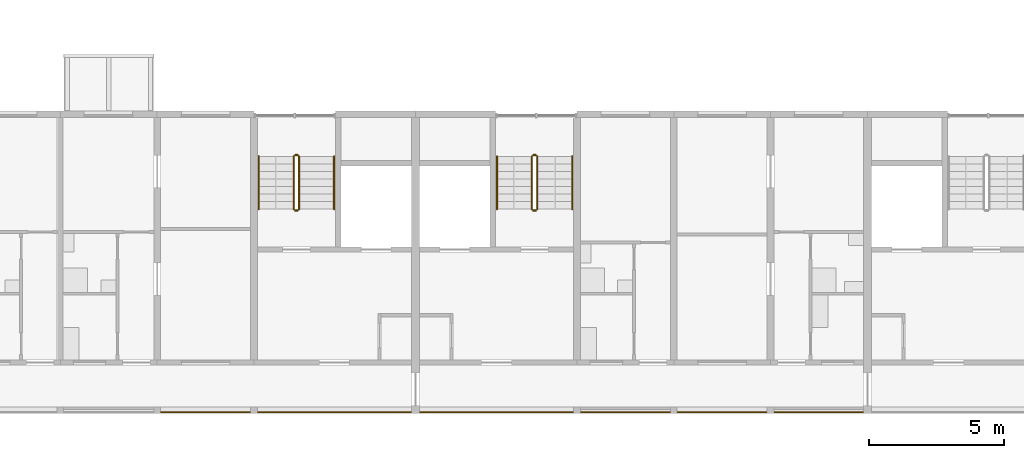
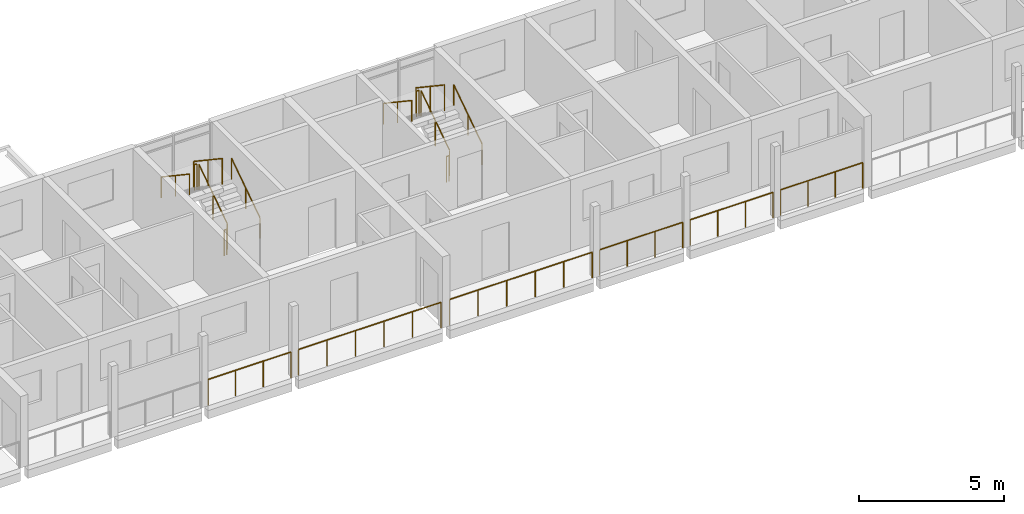
# One storey, part 91 of 98: 18 railings.
"""IFC4 building model written with IfcOpenShell, lengths in metres."""

from ifc_helpers import new_model, si_unit, direction, frame, origin, origin_2d, place, context, subcontext, project, spatial, circle, extrude, material, type_object, element, save


model = new_model("IFC4")

# Units and contexts
model_context = context("Model", 3, precision=1e-05, world=origin(), true_north=direction((0.0, 1.0)))
body_context = subcontext(model_context, "Body", "Model", "MODEL_VIEW")
ifc_project = project(units=[si_unit("LENGTHUNIT", "METRE"), si_unit("AREAUNIT", "SQUARE_METRE"), si_unit("VOLUMEUNIT", "CUBIC_METRE"), si_unit("PLANEANGLEUNIT", "RADIAN"), si_unit("MASSUNIT", "GRAM", prefix="KILO")], contexts=[model_context])

# Site, building, storey
site_placement = place(None, origin())
site = spatial("IfcSite", under=ifc_project, at=site_placement, CompositionType="ELEMENT")
building_placement = place(site_placement, origin())
building = spatial("IfcBuilding", under=site, at=building_placement, Name="Ridgestep Commons", CompositionType="ELEMENT")
storey_placement = place(building_placement, frame((0.0, 0.0, 12.0)))
storey = spatial("IfcBuildingStorey", under=building, at=storey_placement, Name="L04", CompositionType="ELEMENT", Elevation=12.0)

# Railings
ifc_material_1 = material(Name="Structural steel S355JR", Category="steel")
railing_type_1 = type_object("IfcRailingType", Name="Guard 1100", PredefinedType="GUARDRAIL", material=ifc_material_1)
railing_1_placement = place(storey_placement, frame((204.5458984375, 11.800048828125, 0.0)))
element("IfcRailing", 1, at=railing_1_placement, inside=storey, type_object=railing_type_1, Name="Gallery guard D 04.15", PredefinedType="GUARDRAIL", context=body_context, shape_type="SweptSolid", body=[
    extrude(circle(Radius=0.02392578125, at=origin_2d()), frame((0.0, 0.0, 1.076171875), z_axis=(1.0, 0.0, 0.0), x_axis=(0.0, 1.0, 0.0)), (0.0, 0.0, 1.0), 3.30810546875),
    extrude(circle(Radius=0.02099609375, at=origin_2d()), origin(), (0.0, 0.0, 1.0), 1.052001953125),
    extrude(circle(Radius=0.02099609375, at=origin_2d()), frame((1.102783203125, 0.0, 0.0)), (0.0, 0.0, 1.0), 1.052001953125),
    extrude(circle(Radius=0.02099609375, at=origin_2d()), frame((2.205322265625, 0.0, 0.0)), (0.0, 0.0, 1.0), 1.052001953125),
    extrude(circle(Radius=0.02099609375, at=origin_2d()), frame((3.30810546875, 0.0, 0.0)), (0.0, 0.0, 1.0), 1.052001953125),
])
for number, where, name in (
    (2, (208.14599609375, 11.800048828125, 0.0), "Gallery guard D 04.16"),
    (3, (214.1708984375, 11.800048828125, 0.0), "Gallery guard D 04.17"),
):
    element("IfcRailing", number, at=place(storey_placement, frame(where)), inside=storey, type_object=railing_type_1, Name=name, PredefinedType="GUARDRAIL", context=body_context, shape_type="SweptSolid", body=[
        extrude(circle(Radius=0.02392578125, at=origin_2d()), frame((0.0, 0.0, 1.076171875), z_axis=(1.0, 0.0, 0.0), x_axis=(0.0, 1.0, 0.0)), (0.0, 0.0, 1.0), 5.68310546875),
        extrude(circle(Radius=0.02099609375, at=origin_2d()), origin(), (0.0, 0.0, 1.0), 1.052001953125),
        extrude(circle(Radius=0.02099609375, at=origin_2d()), frame((1.13671875, 0.0, 0.0)), (0.0, 0.0, 1.0), 1.052001953125),
        extrude(circle(Radius=0.02099609375, at=origin_2d()), frame((2.273193359375, 0.0, 0.0)), (0.0, 0.0, 1.0), 1.052001953125),
        extrude(circle(Radius=0.02099609375, at=origin_2d()), frame((3.409912109375, 0.0, 0.0)), (0.0, 0.0, 1.0), 1.052001953125),
        extrude(circle(Radius=0.02099609375, at=origin_2d()), frame((4.54638671875, 0.0, 0.0)), (0.0, 0.0, 1.0), 1.052001953125),
        extrude(circle(Radius=0.02099609375, at=origin_2d()), frame((5.68310546875, 0.0, 0.0)), (0.0, 0.0, 1.0), 1.052001953125),
    ])
railing_2_placement = place(storey_placement, frame((220.14599609375, 11.800048828125, 0.0)))
element("IfcRailing", 4, at=railing_2_placement, inside=storey, type_object=railing_type_1, Name="Gallery guard D 04.18", PredefinedType="GUARDRAIL", context=body_context, shape_type="SweptSolid", body=[
    extrude(circle(Radius=0.02392578125, at=origin_2d()), frame((0.0, 0.0, 1.076171875), z_axis=(1.0, 0.0, 0.0), x_axis=(0.0, 1.0, 0.0)), (0.0, 0.0, 1.0), 3.30810546875),
    extrude(circle(Radius=0.02099609375, at=origin_2d()), origin(), (0.0, 0.0, 1.0), 1.052001953125),
    extrude(circle(Radius=0.02099609375, at=origin_2d()), frame((1.102783203125, 0.0, 0.0)), (0.0, 0.0, 1.0), 1.052001953125),
    extrude(circle(Radius=0.02099609375, at=origin_2d()), frame((2.205322265625, 0.0, 0.0)), (0.0, 0.0, 1.0), 1.052001953125),
    extrude(circle(Radius=0.02099609375, at=origin_2d()), frame((3.30810546875, 0.0, 0.0)), (0.0, 0.0, 1.0), 1.052001953125),
])
railing_3_placement = place(storey_placement, frame((223.74609375, 11.800048828125, 0.0)))
element("IfcRailing", 5, at=railing_3_placement, inside=storey, type_object=railing_type_1, Name="Gallery guard D 04.19", PredefinedType="GUARDRAIL", context=body_context, shape_type="SweptSolid", body=[
    extrude(circle(Radius=0.02392578125, at=origin_2d()), frame((0.0, 0.0, 1.076171875), z_axis=(1.0, 0.0, 0.0), x_axis=(0.0, 1.0, 0.0)), (0.0, 0.0, 1.0), 3.307861328125),
    extrude(circle(Radius=0.02099609375, at=origin_2d()), origin(), (0.0, 0.0, 1.0), 1.052001953125),
    extrude(circle(Radius=0.02099609375, at=origin_2d()), frame((1.1025390625, 0.0, 0.0)), (0.0, 0.0, 1.0), 1.052001953125),
    extrude(circle(Radius=0.02099609375, at=origin_2d()), frame((2.205322265625, 0.0, 0.0)), (0.0, 0.0, 1.0), 1.052001953125),
    extrude(circle(Radius=0.02099609375, at=origin_2d()), frame((3.307861328125, 0.0, 0.0)), (0.0, 0.0, 1.0), 1.052001953125),
])
railing_4_placement = place(storey_placement, frame((227.345947265625, 11.800048828125, 0.0)))
element("IfcRailing", 6, at=railing_4_placement, inside=storey, type_object=railing_type_1, Name="Gallery guard D 04.20", PredefinedType="GUARDRAIL", context=body_context, shape_type="SweptSolid", body=[
    extrude(circle(Radius=0.02392578125, at=origin_2d()), frame((0.0, 0.0, 1.076171875), z_axis=(1.0, 0.0, 0.0), x_axis=(0.0, 1.0, 0.0)), (0.0, 0.0, 1.0), 3.282958984375),
    extrude(circle(Radius=0.02099609375, at=origin_2d()), origin(), (0.0, 0.0, 1.0), 1.052001953125),
    extrude(circle(Radius=0.02099609375, at=origin_2d()), frame((1.09423828125, 0.0, 0.0)), (0.0, 0.0, 1.0), 1.052001953125),
    extrude(circle(Radius=0.02099609375, at=origin_2d()), frame((2.188720703125, 0.0, 0.0)), (0.0, 0.0, 1.0), 1.052001953125),
    extrude(circle(Radius=0.02099609375, at=origin_2d()), frame((3.282958984375, 0.0, 0.0)), (0.0, 0.0, 1.0), 1.052001953125),
])
ifc_material_2 = material(Name="Structural steel S355JR", Category="steel")
railing_type_2 = type_object("IfcRailingType", Name="Stair guard 1100", PredefinedType="GUARDRAIL", material=ifc_material_2)
railing_5_placement = place(storey_placement, frame((209.675048828125, 19.35009765625, 0.1875)))
element("IfcRailing", 7, at=railing_5_placement, inside=storey, type_object=railing_type_2, Name="L04 D4C stair guard 1", PredefinedType="GUARDRAIL", context=body_context, shape_type="SweptSolid", body=[
    extrude(circle(Radius=0.02392578125, at=origin_2d()), frame((0.0, 0.0, 1.076171875), z_axis=(0.0, 0.830902050051, 0.556418712142), x_axis=(-1.0, 0.0, 0.0)), (0.0, 0.0, 1.0), 2.35888671875),
    extrude(circle(Radius=0.02099609375, at=origin_2d()), origin(), (0.0, 0.0, 1.0), 1.052001953125),
    extrude(circle(Radius=0.02099609375, at=origin_2d()), frame((0.0, 0.97998046875, 0.65625)), (0.0, 0.0, 1.0), 1.052001953125),
    extrude(circle(Radius=0.02099609375, at=origin_2d()), frame((0.0, 1.9599609375, 1.3125)), (0.0, 0.0, 1.0), 1.052001953125),
])
railing_6_placement = place(storey_placement, frame((209.625, 21.360107421875, 1.5)))
element("IfcRailing", 8, at=railing_6_placement, inside=storey, type_object=railing_type_2, Name="L04 D4C stair guard 2", PredefinedType="GUARDRAIL", context=body_context, shape_type="SweptSolid", body=[
    extrude(circle(Radius=0.02392578125, at=origin_2d()), frame((0.0, 0.0, 1.076171875), z_axis=(-1.0, 0.0, 0.0), x_axis=(0.0, -1.0, 0.0)), (0.0, 0.0, 1.0), 0.10009765625),
    extrude(circle(Radius=0.02099609375, at=origin_2d()), origin(), (0.0, 0.0, 1.0), 1.052001953125),
    extrude(circle(Radius=0.02099609375, at=origin_2d()), frame((-0.10009765625, 0.0, 0.0)), (0.0, 0.0, 1.0), 1.052001953125),
])
railing_7_placement = place(storey_placement, frame((209.47509765625, 21.31005859375, 1.6875)))
element("IfcRailing", 9, at=railing_7_placement, inside=storey, type_object=railing_type_2, Name="L04 D4C stair guard 3", PredefinedType="GUARDRAIL", context=body_context, shape_type="SweptSolid", body=[
    extrude(circle(Radius=0.02392578125, at=origin_2d()), frame((0.0, 0.0, 1.076171875), z_axis=(0.0, -0.830902050051, 0.556418712142), x_axis=(1.0, 0.0, 0.0)), (0.0, 0.0, 1.0), 2.35888671875),
    extrude(circle(Radius=0.02099609375, at=origin_2d()), origin(), (0.0, 0.0, 1.0), 1.052001953125),
    extrude(circle(Radius=0.02099609375, at=origin_2d()), frame((0.0, -0.97998046875, 0.65625)), (0.0, 0.0, 1.0), 1.052001953125),
    extrude(circle(Radius=0.02099609375, at=origin_2d()), frame((0.0, -1.9599609375, 1.3125)), (0.0, 0.0, 1.0), 1.052001953125),
])
railing_8_placement = place(storey_placement, frame((209.625, 19.300048828125, 0.0)))
element("IfcRailing", 10, at=railing_8_placement, inside=storey, type_object=railing_type_2, Name="L04 D4C stair guard 4", PredefinedType="GUARDRAIL", context=body_context, shape_type="SweptSolid", body=[
    extrude(circle(Radius=0.02392578125, at=origin_2d()), frame((0.0, 0.0, 1.076171875), z_axis=(-1.0, 0.0, 0.0), x_axis=(0.0, -1.0, 0.0)), (0.0, 0.0, 1.0), 0.10009765625),
    extrude(circle(Radius=0.02099609375, at=origin_2d()), origin(), (0.0, 0.0, 1.0), 1.052001953125),
    extrude(circle(Radius=0.02099609375, at=origin_2d()), frame((-0.10009765625, 0.0, 0.0)), (0.0, 0.0, 1.0), 1.052001953125),
])
railing_9_placement = place(storey_placement, frame((218.52490234375, 19.35009765625, 0.1875)))
element("IfcRailing", 11, at=railing_9_placement, inside=storey, type_object=railing_type_2, Name="L04 D5C stair guard 1", PredefinedType="GUARDRAIL", context=body_context, shape_type="SweptSolid", body=[
    extrude(circle(Radius=0.02392578125, at=origin_2d()), frame((0.0, 0.0, 1.076171875), z_axis=(0.0, 0.830902050051, 0.556418712142), x_axis=(-1.0, 0.0, 0.0)), (0.0, 0.0, 1.0), 2.35888671875),
    extrude(circle(Radius=0.02099609375, at=origin_2d()), origin(), (0.0, 0.0, 1.0), 1.052001953125),
    extrude(circle(Radius=0.02099609375, at=origin_2d()), frame((0.0, 0.97998046875, 0.65625)), (0.0, 0.0, 1.0), 1.052001953125),
    extrude(circle(Radius=0.02099609375, at=origin_2d()), frame((0.0, 1.9599609375, 1.3125)), (0.0, 0.0, 1.0), 1.052001953125),
])
railing_10_placement = place(storey_placement, frame((218.47509765625, 21.360107421875, 1.5)))
element("IfcRailing", 12, at=railing_10_placement, inside=storey, type_object=railing_type_2, Name="L04 D5C stair guard 2", PredefinedType="GUARDRAIL", context=body_context, shape_type="SweptSolid", body=[
    extrude(circle(Radius=0.02392578125, at=origin_2d()), frame((0.0, 0.0, 1.076171875), z_axis=(-1.0, 0.0, 0.0), x_axis=(0.0, -1.0, 0.0)), (0.0, 0.0, 1.0), 0.10009765625),
    extrude(circle(Radius=0.02099609375, at=origin_2d()), origin(), (0.0, 0.0, 1.0), 1.052001953125),
    extrude(circle(Radius=0.02099609375, at=origin_2d()), frame((-0.10009765625, 0.0, 0.0)), (0.0, 0.0, 1.0), 1.052001953125),
])
railing_11_placement = place(storey_placement, frame((218.324951171875, 21.31005859375, 1.6875)))
element("IfcRailing", 13, at=railing_11_placement, inside=storey, type_object=railing_type_2, Name="L04 D5C stair guard 3", PredefinedType="GUARDRAIL", context=body_context, shape_type="SweptSolid", body=[
    extrude(circle(Radius=0.02392578125, at=origin_2d()), frame((0.0, 0.0, 1.076171875), z_axis=(0.0, -0.830902050051, 0.556418712142), x_axis=(1.0, 0.0, 0.0)), (0.0, 0.0, 1.0), 2.35888671875),
    extrude(circle(Radius=0.02099609375, at=origin_2d()), origin(), (0.0, 0.0, 1.0), 1.052001953125),
    extrude(circle(Radius=0.02099609375, at=origin_2d()), frame((0.0, -0.97998046875, 0.65625)), (0.0, 0.0, 1.0), 1.052001953125),
    extrude(circle(Radius=0.02099609375, at=origin_2d()), frame((0.0, -1.9599609375, 1.3125)), (0.0, 0.0, 1.0), 1.052001953125),
])
railing_12_placement = place(storey_placement, frame((218.47509765625, 19.300048828125, 0.0)))
element("IfcRailing", 14, at=railing_12_placement, inside=storey, type_object=railing_type_2, Name="L04 D5C stair guard 4", PredefinedType="GUARDRAIL", context=body_context, shape_type="SweptSolid", body=[
    extrude(circle(Radius=0.02392578125, at=origin_2d()), frame((0.0, 0.0, 1.076171875), z_axis=(-1.0, 0.0, 0.0), x_axis=(0.0, -1.0, 0.0)), (0.0, 0.0, 1.0), 0.10009765625),
    extrude(circle(Radius=0.02099609375, at=origin_2d()), origin(), (0.0, 0.0, 1.0), 1.052001953125),
    extrude(circle(Radius=0.02099609375, at=origin_2d()), frame((-0.10009765625, 0.0, 0.0)), (0.0, 0.0, 1.0), 1.052001953125),
])
ifc_material_3 = material(Name="Structural steel S355JR", Category="steel")
railing_type_3 = type_object("IfcRailingType", Name="Stair handrail 900", PredefinedType="HANDRAIL", material=ifc_material_3)
railing_13_placement = place(storey_placement, frame((210.97509765625, 19.35009765625, 0.1875)))
element("IfcRailing", 15, at=railing_13_placement, inside=storey, type_object=railing_type_3, Name="L04 D4C stair handrail 1", PredefinedType="HANDRAIL", context=body_context, shape_type="SweptSolid", body=[
    extrude(circle(Radius=0.02392578125, at=origin_2d()), frame((0.0, 0.0, 0.8759765625), z_axis=(0.0, 0.830902050051, 0.556418712142), x_axis=(-1.0, 0.0, 0.0)), (0.0, 0.0, 1.0), 2.35888671875),
    extrude(circle(Radius=0.02099609375, at=origin_2d()), origin(), (0.0, 0.0, 1.0), 0.851806640625),
    extrude(circle(Radius=0.02099609375, at=origin_2d()), frame((0.0, 0.97998046875, 0.65625)), (0.0, 0.0, 1.0), 0.851806640625),
    extrude(circle(Radius=0.02099609375, at=origin_2d()), frame((0.0, 1.9599609375, 1.3125)), (0.0, 0.0, 1.0), 0.851806640625),
])
railing_14_placement = place(storey_placement, frame((208.175048828125, 21.31005859375, 1.6875)))
element("IfcRailing", 16, at=railing_14_placement, inside=storey, type_object=railing_type_3, Name="L04 D4C stair handrail 2", PredefinedType="HANDRAIL", context=body_context, shape_type="SweptSolid", body=[
    extrude(circle(Radius=0.02392578125, at=origin_2d()), frame((0.0, 0.0, 0.8759765625), z_axis=(0.0, -0.830902050051, 0.556418712142), x_axis=(1.0, 0.0, 0.0)), (0.0, 0.0, 1.0), 2.35888671875),
    extrude(circle(Radius=0.02099609375, at=origin_2d()), origin(), (0.0, 0.0, 1.0), 0.851806640625),
    extrude(circle(Radius=0.02099609375, at=origin_2d()), frame((0.0, -0.97998046875, 0.65625)), (0.0, 0.0, 1.0), 0.851806640625),
    extrude(circle(Radius=0.02099609375, at=origin_2d()), frame((0.0, -1.9599609375, 1.3125)), (0.0, 0.0, 1.0), 0.851806640625),
])
railing_15_placement = place(storey_placement, frame((219.824951171875, 19.35009765625, 0.1875)))
element("IfcRailing", 17, at=railing_15_placement, inside=storey, type_object=railing_type_3, Name="L04 D5C stair handrail 1", PredefinedType="HANDRAIL", context=body_context, shape_type="SweptSolid", body=[
    extrude(circle(Radius=0.02392578125, at=origin_2d()), frame((0.0, 0.0, 0.8759765625), z_axis=(0.0, 0.830902050051, 0.556418712142), x_axis=(-1.0, 0.0, 0.0)), (0.0, 0.0, 1.0), 2.35888671875),
    extrude(circle(Radius=0.02099609375, at=origin_2d()), origin(), (0.0, 0.0, 1.0), 0.851806640625),
    extrude(circle(Radius=0.02099609375, at=origin_2d()), frame((0.0, 0.97998046875, 0.65625)), (0.0, 0.0, 1.0), 0.851806640625),
    extrude(circle(Radius=0.02099609375, at=origin_2d()), frame((0.0, 1.9599609375, 1.3125)), (0.0, 0.0, 1.0), 0.851806640625),
])
railing_16_placement = place(storey_placement, frame((217.02490234375, 21.31005859375, 1.6875)))
element("IfcRailing", 18, at=railing_16_placement, inside=storey, type_object=railing_type_3, Name="L04 D5C stair handrail 2", PredefinedType="HANDRAIL", context=body_context, shape_type="SweptSolid", body=[
    extrude(circle(Radius=0.02392578125, at=origin_2d()), frame((0.0, 0.0, 0.8759765625), z_axis=(0.0, -0.830902050051, 0.556418712142), x_axis=(1.0, 0.0, 0.0)), (0.0, 0.0, 1.0), 2.35888671875),
    extrude(circle(Radius=0.02099609375, at=origin_2d()), origin(), (0.0, 0.0, 1.0), 0.851806640625),
    extrude(circle(Radius=0.02099609375, at=origin_2d()), frame((0.0, -0.97998046875, 0.65625)), (0.0, 0.0, 1.0), 0.851806640625),
    extrude(circle(Radius=0.02099609375, at=origin_2d()), frame((0.0, -1.9599609375, 1.3125)), (0.0, 0.0, 1.0), 0.851806640625),
])

save(model, "model.ifc")
